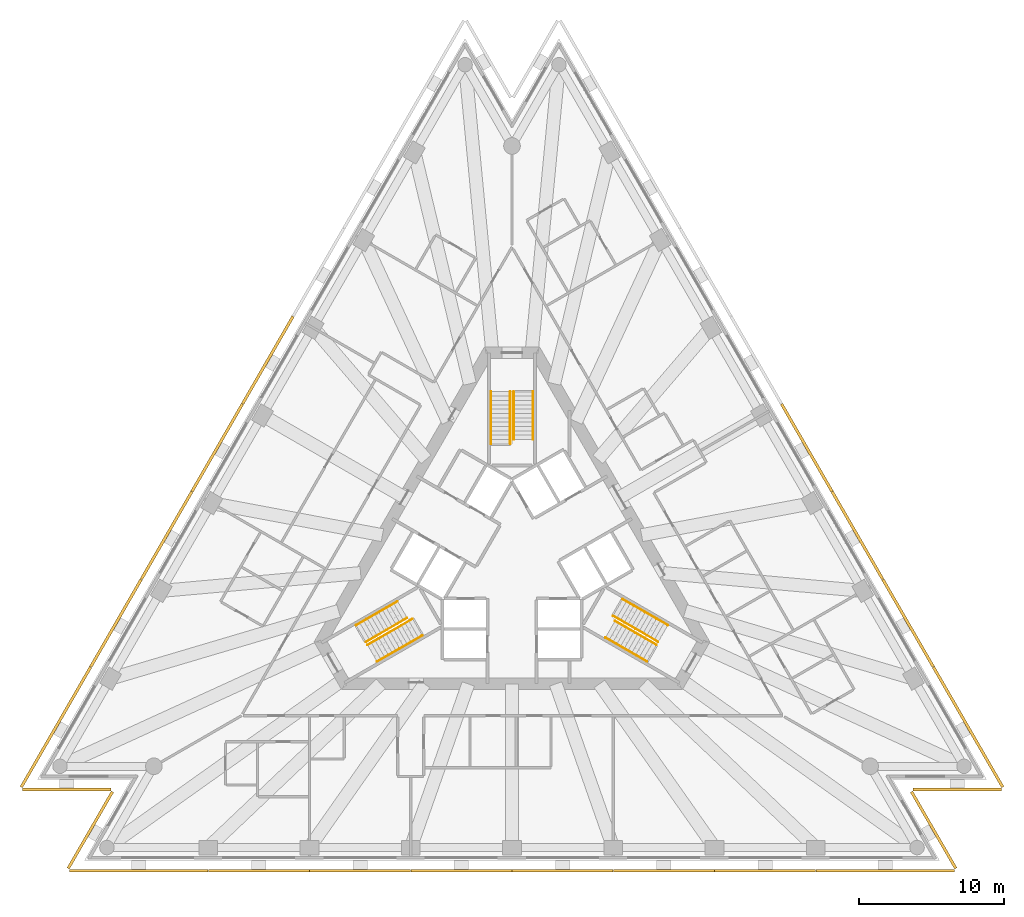
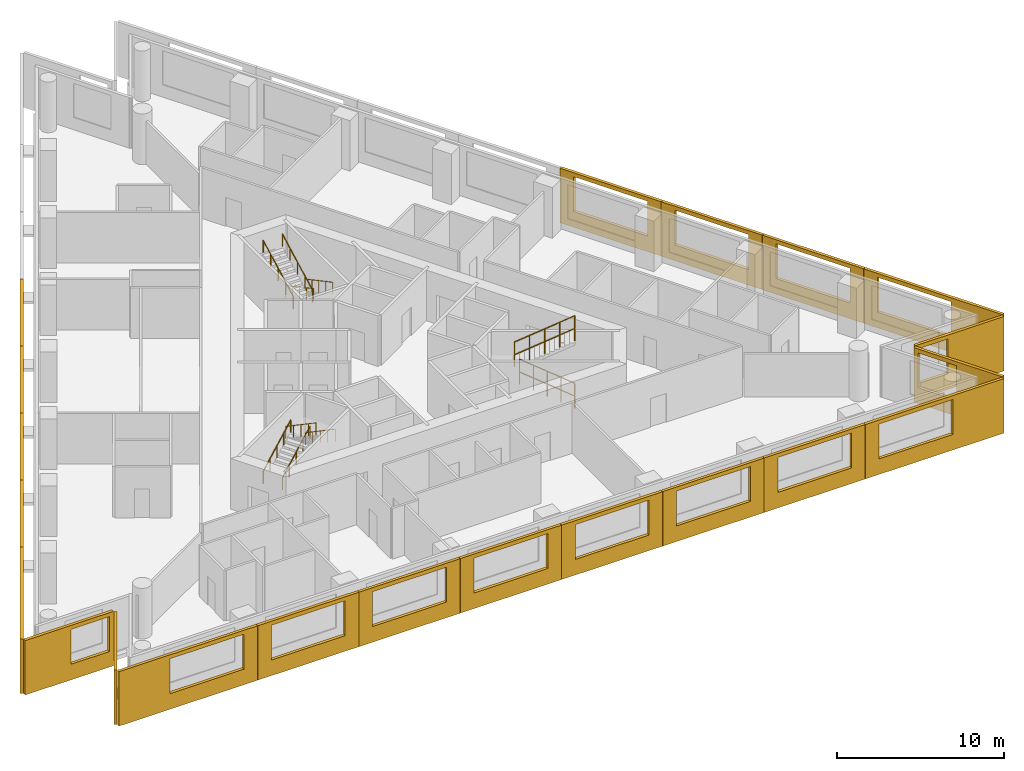
# One storey, part 9 of 10: 21 shading devices, 12 railings, 3 elements without a shape of their own.
"""IFC4 building model written with IfcOpenShell, lengths in metres."""

from ifc_helpers import new_model, si_unit, direction, frame, origin, origin_2d, place, context, subcontext, project, spatial, polyline, circle, outline, extrude, material, layer, layer_set, type_object, element, aggregate, save


model = new_model("IFC4")

# Units and contexts
model_context = context("Model", 3, precision=1e-05, world=origin(), true_north=direction((0.0, 1.0)))
body_context = subcontext(model_context, "Body", "Model", "MODEL_VIEW")
ifc_project = project(units=[si_unit("LENGTHUNIT", "METRE"), si_unit("AREAUNIT", "SQUARE_METRE"), si_unit("VOLUMEUNIT", "CUBIC_METRE"), si_unit("PLANEANGLEUNIT", "RADIAN"), si_unit("MASSUNIT", "GRAM", prefix="KILO")], contexts=[model_context])

# Site, building, storey
site_placement = place(None, origin())
site = spatial("IfcSite", under=ifc_project, at=site_placement, CompositionType="ELEMENT")
building_placement = place(site_placement, origin())
building = spatial("IfcBuilding", under=site, at=building_placement, Name="Triada Interchange Tower", CompositionType="ELEMENT")
storey_placement = place(building_placement, frame((0.0, 0.0, 108.300048828125)))
storey = spatial("IfcBuildingStorey", under=building, at=storey_placement, Name="L24", CompositionType="ELEMENT", Elevation=108.300048828125)

# Shading devices
ifc_material_1 = material(Name="Concrete C50/60 precast", Category="concrete")
ifc_layer_1 = layer(ifc_material_1, 0.02001953125, Name="Exposed aggregate face")
ifc_layer_2 = layer(ifc_material_1, 0.179931640625, Name="Precast concrete screen")
ifc_layer_set = layer_set([ifc_layer_1, ifc_layer_2], Name="Outer skin screen panel 3980")
shading_device_type = type_object("IfcShadingDeviceType", Name="Outer skin screen panel 3980", PredefinedType="SHUTTER", material=ifc_layer_set)
shading_device_1_placement = place(storey_placement, frame((-15.052001953125, 16.763916015625, -0.2900390625), z_axis=(0.0, 0.0, 1.0), x_axis=(-0.49997871953, -0.866037689721, 0.0)))
element("IfcShadingDevice", 1, at=shading_device_1_placement, inside=storey, type_object=shading_device_type, Name="Outer skin screen panel L24 04", PredefinedType="SHUTTER", context=body_context, shape_type="SweptSolid", body=[
    extrude(outline(polyline([(0.0, 0.0), (6.982177734375, 0.0), (6.982177734375, 3.97998046875), (0.0, 3.97998046875), (0.0, 0.0)]), holes=[polyline([(0.9404296875, 1.139892578125), (0.9404296875, 3.68994140625), (6.040283203125, 3.68994140625), (6.040283203125, 1.139892578125), (0.9404296875, 1.139892578125)])]), frame((0.0, 0.0, 0.0), z_axis=(0.0, -1.0, 0.0), x_axis=(1.0, 0.0, 0.0)), (0.0, 0.0, 1.0), 0.199951171875),
])
shading_device_2_placement = place(storey_placement, frame((-18.552978515625, 10.699951171875, -0.2900390625), z_axis=(0.0, 0.0, 1.0), x_axis=(-0.499934370605, -0.866063291618, 0.0)))
element("IfcShadingDevice", 2, at=shading_device_2_placement, inside=storey, type_object=shading_device_type, Name="Outer skin screen panel L24 05", PredefinedType="SHUTTER", context=body_context, shape_type="SweptSolid", body=[
    extrude(outline(polyline([(0.0, 0.0), (6.98095703125, 0.0), (6.98095703125, 3.97998046875), (0.0, 3.97998046875), (0.0, 0.0)]), holes=[polyline([(0.94091796875, 1.139892578125), (0.94091796875, 3.68994140625), (6.040771484375, 3.68994140625), (6.040771484375, 1.139892578125), (0.94091796875, 1.139892578125)])]), frame((0.0, 0.0, 0.0), z_axis=(0.0, -1.0, 0.0), x_axis=(1.0, 0.0, 0.0)), (0.0, 0.0, 1.0), 0.199951171875),
])
shading_device_3_placement = place(storey_placement, frame((-22.052978515625, 4.635986328125, -0.2900390625), z_axis=(0.0, 0.0, 1.0), x_axis=(-0.5000392868, -0.866002720352, 0.0)))
element("IfcShadingDevice", 3, at=shading_device_3_placement, inside=storey, type_object=shading_device_type, Name="Outer skin screen panel L24 06", PredefinedType="SHUTTER", context=body_context, shape_type="SweptSolid", body=[
    extrude(outline(polyline([(0.0, 0.0), (6.9814453125, 0.0), (6.9814453125, 3.97998046875), (0.0, 3.97998046875), (0.0, 0.0)]), holes=[polyline([(0.941162109375, 1.139892578125), (0.941162109375, 3.68994140625), (6.041015625, 3.68994140625), (6.041015625, 1.139892578125), (0.941162109375, 1.139892578125)])]), frame((0.0, 0.0, 0.0), z_axis=(0.0, -1.0, 0.0), x_axis=(1.0, 0.0, 0.0)), (0.0, 0.0, 1.0), 0.199951171875),
])
shading_device_4_placement = place(storey_placement, frame((-25.553955078125, -1.427001953125, -0.2900390625), z_axis=(0.0, 0.0, 1.0), x_axis=(-0.499963579623, -0.866046430078, 0.0)))
element("IfcShadingDevice", 4, at=shading_device_4_placement, inside=storey, type_object=shading_device_type, Name="Outer skin screen panel L24 07", PredefinedType="SHUTTER", context=body_context, shape_type="SweptSolid", body=[
    extrude(outline(polyline([(0.0, 0.0), (6.982421875, 0.0), (6.982421875, 3.97998046875), (0.0, 3.97998046875), (0.0, 0.0)]), holes=[polyline([(0.9404296875, 1.139892578125), (0.9404296875, 3.68994140625), (6.040283203125, 3.68994140625), (6.040283203125, 1.139892578125), (0.9404296875, 1.139892578125)])]), frame((0.0, 0.0, 0.0), z_axis=(0.0, -1.0, 0.0), x_axis=(1.0, 0.0, 0.0)), (0.0, 0.0, 1.0), 0.199951171875),
])
shading_device_5_placement = place(storey_placement, frame((-29.054931640625, -7.490966796875, -0.2900390625), z_axis=(0.0, 0.0, 1.0), x_axis=(-0.500020270231, -0.866013700445, 0.0)))
element("IfcShadingDevice", 5, at=shading_device_5_placement, inside=storey, type_object=shading_device_type, Name="Outer skin screen panel L24 08", PredefinedType="SHUTTER", context=body_context, shape_type="SweptSolid", body=[
    extrude(outline(polyline([(0.0, 0.0), (9.57958984375, 0.0), (9.57958984375, 3.97998046875), (0.0, 3.97998046875), (0.0, 0.0)]), holes=[polyline([(0.940673828125, 1.139892578125), (0.940673828125, 3.68994140625), (6.040771484375, 3.68994140625), (6.040771484375, 1.139892578125), (0.940673828125, 1.139892578125)])]), frame((0.0, 0.0, 0.0), z_axis=(0.0, -1.0, 0.0), x_axis=(1.0, 0.0, 0.0)), (0.0, 0.0, 1.0), 0.199951171875),
])
shading_device_6_placement = place(storey_placement, frame((-33.840087890625, -15.7958984375, -0.2900390625), z_axis=(0.0, 0.0, 1.0), x_axis=(1.0, 0.0, 0.0)))
element("IfcShadingDevice", 6, at=shading_device_6_placement, inside=storey, type_object=shading_device_type, Name="Outer skin screen panel L24 09", PredefinedType="SHUTTER", context=body_context, shape_type="SweptSolid", body=[
    extrude(outline(polyline([(0.0, 0.0), (6.123046875, 0.0), (6.123046875, 3.97998046875), (0.0, 3.97998046875), (0.0, 0.0)]), holes=[polyline([(3.175048828125, 1.139892578125), (3.175048828125, 3.68994140625), (5.822998046875, 3.68994140625), (5.822998046875, 1.139892578125), (3.175048828125, 1.139892578125)])]), frame((0.0, 0.0, 0.0), z_axis=(0.0, -1.0, 0.0), x_axis=(1.0, 0.0, 0.0)), (0.0, 0.0, 1.0), 0.199951171875),
])
shading_device_7_placement = place(storey_placement, frame((-27.5380859375, -16.10498046875, -0.2900390625), z_axis=(0.0, 0.0, 1.0), x_axis=(-0.500041108788, -0.866001668314, 0.0)))
element("IfcShadingDevice", 7, at=shading_device_7_placement, inside=storey, type_object=shading_device_type, Name="Outer skin screen panel L24 10", PredefinedType="SHUTTER", context=body_context, shape_type="SweptSolid", body=[
    extrude(outline(polyline([(0.0, 0.0), (6.12353515625, 0.0), (6.12353515625, 3.97998046875), (0.0, 3.97998046875), (0.0, 0.0)]), holes=[polyline([(0.300048828125, 1.139892578125), (0.300048828125, 3.68994140625), (2.258056640625, 3.68994140625), (2.258056640625, 1.139892578125), (0.300048828125, 1.139892578125)])]), frame((0.0, 0.0, 0.0), z_axis=(0.0, -1.0, 0.0), x_axis=(1.0, 0.0, 0.0)), (0.0, 0.0, 1.0), 0.199951171875),
])
shading_device_8_placement = place(storey_placement, frame((-30.594970703125, -21.4169921875, -0.2900390625), z_axis=(0.0, 0.0, 1.0), x_axis=(1.0, 0.0, 0.0)))
element("IfcShadingDevice", 8, at=shading_device_8_placement, inside=storey, type_object=shading_device_type, Name="Outer skin screen panel L24 11", PredefinedType="SHUTTER", context=body_context, shape_type="SweptSolid", body=[
    extrude(outline(polyline([(0.0, 0.0), (9.580078125, 0.0), (9.580078125, 3.97998046875), (0.0, 3.97998046875), (0.0, 0.0)]), holes=[polyline([(3.5390625, 1.139892578125), (3.5390625, 3.68994140625), (8.638916015625, 3.68994140625), (8.638916015625, 1.139892578125), (3.5390625, 1.139892578125)])]), frame((0.0, 0.0, 0.0), z_axis=(0.0, -1.0, 0.0), x_axis=(1.0, 0.0, 0.0)), (0.0, 0.0, 1.0), 0.199951171875),
])
shading_device_9_placement = place(storey_placement, frame((-20.9951171875, -21.4169921875, -0.2900390625), z_axis=(0.0, 0.0, 1.0), x_axis=(1.0, 0.0, 0.0)))
element("IfcShadingDevice", 9, at=shading_device_9_placement, inside=storey, type_object=shading_device_type, Name="Outer skin screen panel L24 12", PredefinedType="SHUTTER", context=body_context, shape_type="SweptSolid", body=[
    extrude(outline(polyline([(0.0, 0.0), (6.981201171875, 0.0), (6.981201171875, 3.97998046875), (0.0, 3.97998046875), (0.0, 0.0)]), holes=[polyline([(0.94140625, 1.139892578125), (0.94140625, 3.68994140625), (6.041259765625, 3.68994140625), (6.041259765625, 1.139892578125), (0.94140625, 1.139892578125)])]), frame((0.0, 0.0, 0.0), z_axis=(0.0, -1.0, 0.0), x_axis=(1.0, 0.0, 0.0)), (0.0, 0.0, 1.0), 0.199951171875),
])
shading_device_10_placement = place(storey_placement, frame((-13.993896484375, -21.4169921875, -0.2900390625), z_axis=(0.0, 0.0, 1.0), x_axis=(1.0, 0.0, 0.0)))
element("IfcShadingDevice", 10, at=shading_device_10_placement, inside=storey, type_object=shading_device_type, Name="Outer skin screen panel L24 13", PredefinedType="SHUTTER", context=body_context, shape_type="SweptSolid", body=[
    extrude(outline(polyline([(0.0, 0.0), (6.98193359375, 0.0), (6.98193359375, 3.97998046875), (0.0, 3.97998046875), (0.0, 0.0)]), holes=[polyline([(0.9404296875, 1.139892578125), (0.9404296875, 3.68994140625), (6.04052734375, 3.68994140625), (6.04052734375, 1.139892578125), (0.9404296875, 1.139892578125)])]), frame((0.0, 0.0, 0.0), z_axis=(0.0, -1.0, 0.0), x_axis=(1.0, 0.0, 0.0)), (0.0, 0.0, 1.0), 0.199951171875),
])
shading_device_11_placement = place(storey_placement, frame((-6.991943359375, -21.4169921875, -0.2900390625), z_axis=(0.0, 0.0, 1.0), x_axis=(1.0, 0.0, 0.0)))
element("IfcShadingDevice", 11, at=shading_device_11_placement, inside=storey, type_object=shading_device_type, Name="Outer skin screen panel L24 14", PredefinedType="SHUTTER", context=body_context, shape_type="SweptSolid", body=[
    extrude(outline(polyline([(0.0, 0.0), (6.98193359375, 0.0), (6.98193359375, 3.97998046875), (0.0, 3.97998046875), (0.0, 0.0)]), holes=[polyline([(0.94091796875, 1.139892578125), (0.94091796875, 3.68994140625), (6.040771484375, 3.68994140625), (6.040771484375, 1.139892578125), (0.94091796875, 1.139892578125)])]), frame((0.0, 0.0, 0.0), z_axis=(0.0, -1.0, 0.0), x_axis=(1.0, 0.0, 0.0)), (0.0, 0.0, 1.0), 0.199951171875),
])
shading_device_12_placement = place(storey_placement, frame((0.010009765625, -21.4169921875, -0.2900390625), z_axis=(0.0, 0.0, 1.0), x_axis=(1.0, 0.0, 0.0)))
element("IfcShadingDevice", 12, at=shading_device_12_placement, inside=storey, type_object=shading_device_type, Name="Outer skin screen panel L24 15", PredefinedType="SHUTTER", context=body_context, shape_type="SweptSolid", body=[
    extrude(outline(polyline([(0.0, 0.0), (6.98193359375, 0.0), (6.98193359375, 3.97998046875), (0.0, 3.97998046875), (0.0, 0.0)]), holes=[polyline([(0.94091796875, 1.139892578125), (0.94091796875, 3.68994140625), (6.041015625, 3.68994140625), (6.041015625, 1.139892578125), (0.94091796875, 1.139892578125)])]), frame((0.0, 0.0, 0.0), z_axis=(0.0, -1.0, 0.0), x_axis=(1.0, 0.0, 0.0)), (0.0, 0.0, 1.0), 0.199951171875),
])
shading_device_13_placement = place(storey_placement, frame((7.011962890625, -21.4169921875, -0.2900390625), z_axis=(0.0, 0.0, 1.0), x_axis=(1.0, 0.0, 0.0)))
element("IfcShadingDevice", 13, at=shading_device_13_placement, inside=storey, type_object=shading_device_type, Name="Outer skin screen panel L24 16", PredefinedType="SHUTTER", context=body_context, shape_type="SweptSolid", body=[
    extrude(outline(polyline([(0.0, 0.0), (6.98193359375, 0.0), (6.98193359375, 3.97998046875), (0.0, 3.97998046875), (0.0, 0.0)]), holes=[polyline([(0.94140625, 1.139892578125), (0.94140625, 3.68994140625), (6.041259765625, 3.68994140625), (6.041259765625, 1.139892578125), (0.94140625, 1.139892578125)])]), frame((0.0, 0.0, 0.0), z_axis=(0.0, -1.0, 0.0), x_axis=(1.0, 0.0, 0.0)), (0.0, 0.0, 1.0), 0.199951171875),
])
shading_device_14_placement = place(storey_placement, frame((14.012939453125, -21.4169921875, -0.2900390625), z_axis=(0.0, 0.0, 1.0), x_axis=(1.0, 0.0, 0.0)))
element("IfcShadingDevice", 14, at=shading_device_14_placement, inside=storey, type_object=shading_device_type, Name="Outer skin screen panel L24 17", PredefinedType="SHUTTER", context=body_context, shape_type="SweptSolid", body=[
    extrude(outline(polyline([(0.0, 0.0), (6.982177734375, 0.0), (6.982177734375, 3.97998046875), (0.0, 3.97998046875), (0.0, 0.0)]), holes=[polyline([(0.9404296875, 1.139892578125), (0.9404296875, 3.68994140625), (6.04052734375, 3.68994140625), (6.04052734375, 1.139892578125), (0.9404296875, 1.139892578125)])]), frame((0.0, 0.0, 0.0), z_axis=(0.0, -1.0, 0.0), x_axis=(1.0, 0.0, 0.0)), (0.0, 0.0, 1.0), 0.199951171875),
])
shading_device_15_placement = place(storey_placement, frame((21.014892578125, -21.4169921875, -0.2900390625), z_axis=(0.0, 0.0, 1.0), x_axis=(1.0, 0.0, 0.0)))
element("IfcShadingDevice", 15, at=shading_device_15_placement, inside=storey, type_object=shading_device_type, Name="Outer skin screen panel L24 18", PredefinedType="SHUTTER", context=body_context, shape_type="SweptSolid", body=[
    extrude(outline(polyline([(0.0, 0.0), (9.580078125, 0.0), (9.580078125, 3.97998046875), (0.0, 3.97998046875), (0.0, 0.0)]), holes=[polyline([(0.94091796875, 1.139892578125), (0.94091796875, 3.68994140625), (6.040771484375, 3.68994140625), (6.040771484375, 1.139892578125), (0.94091796875, 1.139892578125)])]), frame((0.0, 0.0, 0.0), z_axis=(0.0, -1.0, 0.0), x_axis=(1.0, 0.0, 0.0)), (0.0, 0.0, 1.0), 0.199951171875),
])
shading_device_16_placement = place(storey_placement, frame((30.60009765625, -21.407958984375, -0.2900390625), z_axis=(0.0, 0.0, 1.0), x_axis=(-0.500041108788, 0.866001668314, 0.0)))
element("IfcShadingDevice", 16, at=shading_device_16_placement, inside=storey, type_object=shading_device_type, Name="Outer skin screen panel L24 19", PredefinedType="SHUTTER", context=body_context, shape_type="SweptSolid", body=[
    extrude(outline(polyline([(0.0, 0.0), (6.12353515625, 0.0), (6.12353515625, 3.97998046875), (0.0, 3.97998046875), (0.0, 0.0)]), holes=[polyline([(3.17529296875, 1.139892578125), (3.17529296875, 3.68994140625), (5.82373046875, 3.68994140625), (5.82373046875, 1.139892578125), (3.17529296875, 1.139892578125)])]), frame((0.0, 0.0, 0.0), z_axis=(0.0, -1.0, 0.0), x_axis=(1.0, 0.0, 0.0)), (0.0, 0.0, 1.0), 0.199951171875),
])
shading_device_17_placement = place(storey_placement, frame((27.717041015625, -15.7958984375, -0.2900390625), z_axis=(0.0, 0.0, 1.0), x_axis=(1.0, 0.0, 0.0)))
element("IfcShadingDevice", 17, at=shading_device_17_placement, inside=storey, type_object=shading_device_type, Name="Outer skin screen panel L24 20", PredefinedType="SHUTTER", context=body_context, shape_type="SweptSolid", body=[
    extrude(outline(polyline([(0.0, 0.0), (6.123046875, 0.0), (6.123046875, 3.97998046875), (0.0, 3.97998046875), (0.0, 0.0)]), holes=[polyline([(0.300048828125, 1.139892578125), (0.300048828125, 3.68994140625), (2.258056640625, 3.68994140625), (2.258056640625, 1.139892578125), (0.300048828125, 1.139892578125)])]), frame((0.0, 0.0, 0.0), z_axis=(0.0, -1.0, 0.0), x_axis=(1.0, 0.0, 0.0)), (0.0, 0.0, 1.0), 0.199951171875),
])
shading_device_18_placement = place(storey_placement, frame((33.844970703125, -15.787109375, -0.2900390625), z_axis=(0.0, 0.0, 1.0), x_axis=(-0.500020270231, 0.866013700445, 0.0)))
element("IfcShadingDevice", 18, at=shading_device_18_placement, inside=storey, type_object=shading_device_type, Name="Outer skin screen panel L24 21", PredefinedType="SHUTTER", context=body_context, shape_type="SweptSolid", body=[
    extrude(outline(polyline([(0.0, 0.0), (9.57958984375, 0.0), (9.57958984375, 3.97998046875), (0.0, 3.97998046875), (0.0, 0.0)]), holes=[polyline([(3.539306640625, 1.139892578125), (3.539306640625, 3.68994140625), (8.639404296875, 3.68994140625), (8.639404296875, 1.139892578125), (3.539306640625, 1.139892578125)])]), frame((0.0, 0.0, 0.0), z_axis=(0.0, -1.0, 0.0), x_axis=(1.0, 0.0, 0.0)), (0.0, 0.0, 1.0), 0.199951171875),
])
shading_device_19_placement = place(storey_placement, frame((29.044921875, -7.47412109375, -0.2900390625), z_axis=(0.0, 0.0, 1.0), x_axis=(-0.499963579623, 0.866046430078, 0.0)))
element("IfcShadingDevice", 19, at=shading_device_19_placement, inside=storey, type_object=shading_device_type, Name="Outer skin screen panel L24 22", PredefinedType="SHUTTER", context=body_context, shape_type="SweptSolid", body=[
    extrude(outline(polyline([(0.0, 0.0), (6.982421875, 0.0), (6.982421875, 3.97998046875), (0.0, 3.97998046875), (0.0, 0.0)]), holes=[polyline([(0.9404296875, 1.139892578125), (0.9404296875, 3.68994140625), (6.04052734375, 3.68994140625), (6.04052734375, 1.139892578125), (0.9404296875, 1.139892578125)])]), frame((0.0, 0.0, 0.0), z_axis=(0.0, -1.0, 0.0), x_axis=(1.0, 0.0, 0.0)), (0.0, 0.0, 1.0), 0.199951171875),
])
shading_device_20_placement = place(storey_placement, frame((25.5439453125, -1.409912109375, -0.2900390625), z_axis=(0.0, 0.0, 1.0), x_axis=(-0.5000392868, 0.866002720352, 0.0)))
element("IfcShadingDevice", 20, at=shading_device_20_placement, inside=storey, type_object=shading_device_type, Name="Outer skin screen panel L24 23", PredefinedType="SHUTTER", context=body_context, shape_type="SweptSolid", body=[
    extrude(outline(polyline([(0.0, 0.0), (6.9814453125, 0.0), (6.9814453125, 3.97998046875), (0.0, 3.97998046875), (0.0, 0.0)]), holes=[polyline([(0.94091796875, 1.139892578125), (0.94091796875, 3.68994140625), (6.040771484375, 3.68994140625), (6.040771484375, 1.139892578125), (0.94091796875, 1.139892578125)])]), frame((0.0, 0.0, 0.0), z_axis=(0.0, -1.0, 0.0), x_axis=(1.0, 0.0, 0.0)), (0.0, 0.0, 1.0), 0.199951171875),
])
shading_device_21_placement = place(storey_placement, frame((22.04296875, 4.654052734375, -0.2900390625), z_axis=(0.0, 0.0, 1.0), x_axis=(-0.499934370605, 0.866063291618, 0.0)))
element("IfcShadingDevice", 21, at=shading_device_21_placement, inside=storey, type_object=shading_device_type, Name="Outer skin screen panel L24 24", PredefinedType="SHUTTER", context=body_context, shape_type="SweptSolid", body=[
    extrude(outline(polyline([(0.0, 0.0), (6.98095703125, 0.0), (6.98095703125, 3.97998046875), (0.0, 3.97998046875), (0.0, 0.0)]), holes=[polyline([(0.941162109375, 1.139892578125), (0.941162109375, 3.68994140625), (6.041259765625, 3.68994140625), (6.041259765625, 1.139892578125), (0.941162109375, 1.139892578125)])]), frame((0.0, 0.0, 0.0), z_axis=(0.0, -1.0, 0.0), x_axis=(1.0, 0.0, 0.0)), (0.0, 0.0, 1.0), 0.199951171875),
])

# Stair, railings
ifc_material_2 = material(Name="Concrete C35/45", Category="concrete")
stair_type = type_object("IfcStairType", Name="HALF TURN STAIR 1400", PredefinedType="HALF_TURN_STAIR", material=ifc_material_2)
stair_1_placement = place(storey_placement, origin())
stair_1 = element("IfcStair", 22, at=stair_1_placement, inside=storey, type_object=stair_type, Name="Exit stair S23-1", PredefinedType="HALF_TURN_STAIR")
ifc_material_3 = material(Name="Stainless steel 1.4301", Category="steel")
railing_type = type_object("IfcRailingType", Name="STAIR HANDRAIL 900", PredefinedType="HANDRAIL", material=ifc_material_3)
railing_1_placement = place(storey_placement, frame((1.449951171875, 11.60009765625, 0.159912109375)))
railing_1 = element("IfcRailing", 23, at=railing_1_placement, type_object=railing_type, Name="Handrail S23-1 1W", PredefinedType="HANDRAIL", context=body_context, shape_type="SweptSolid", body=[
    extrude(circle(Radius=0.02392578125, at=origin_2d()), frame((0.0, 0.0, 0.8759765625), z_axis=(0.0, -0.882354748157, 0.47058484719), x_axis=(1.0, 0.0, 0.0)), (0.0, 0.0, 1.0), 3.739990234375),
    extrude(circle(Radius=0.02099609375, at=origin_2d()), origin(), (0.0, 0.0, 1.0), 0.851806640625),
    extrude(circle(Radius=0.02099609375, at=origin_2d()), frame((0.0, -0.824951171875, 0.43994140625)), (0.0, 0.0, 1.0), 0.851806640625),
    extrude(circle(Radius=0.02099609375, at=origin_2d()), frame((0.0, -1.64990234375, 0.8798828125)), (0.0, 0.0, 1.0), 0.851806640625),
    extrude(circle(Radius=0.02099609375, at=origin_2d()), frame((0.0, -2.47509765625, 1.320068359375)), (0.0, 0.0, 1.0), 0.851806640625),
    extrude(circle(Radius=0.02099609375, at=origin_2d()), frame((0.0, -3.300048828125, 1.760009765625)), (0.0, 0.0, 1.0), 0.851806640625),
])
railing_2_placement = place(storey_placement, frame((0.1201171875, 11.60009765625, 0.159912109375)))
railing_2 = element("IfcRailing", 24, at=railing_2_placement, type_object=railing_type, Name="Handrail S23-1 1C", PredefinedType="HANDRAIL", context=body_context, shape_type="SweptSolid", body=[
    extrude(circle(Radius=0.02392578125, at=origin_2d()), frame((0.0, 0.0, 0.8759765625), z_axis=(0.0, -0.882354748157, 0.47058484719), x_axis=(1.0, 0.0, 0.0)), (0.0, 0.0, 1.0), 3.739990234375),
    extrude(circle(Radius=0.02099609375, at=origin_2d()), origin(), (0.0, 0.0, 1.0), 0.851806640625),
    extrude(circle(Radius=0.02099609375, at=origin_2d()), frame((0.0, -0.824951171875, 0.43994140625)), (0.0, 0.0, 1.0), 0.851806640625),
    extrude(circle(Radius=0.02099609375, at=origin_2d()), frame((0.0, -1.64990234375, 0.8798828125)), (0.0, 0.0, 1.0), 0.851806640625),
    extrude(circle(Radius=0.02099609375, at=origin_2d()), frame((0.0, -2.47509765625, 1.320068359375)), (0.0, 0.0, 1.0), 0.851806640625),
    extrude(circle(Radius=0.02099609375, at=origin_2d()), frame((0.0, -3.300048828125, 1.760009765625)), (0.0, 0.0, 1.0), 0.851806640625),
])
railing_3_placement = place(storey_placement, frame((-1.449951171875, 8.0, 2.079833984375)))
railing_3 = element("IfcRailing", 25, at=railing_3_placement, type_object=railing_type, Name="Handrail S23-1 2W", PredefinedType="HANDRAIL", context=body_context, shape_type="SweptSolid", body=[
    extrude(circle(Radius=0.02392578125, at=origin_2d()), frame((0.0, 0.0, 0.8759765625), z_axis=(0.0, 0.882341346394, 0.470609974867), x_axis=(-1.0, 0.0, 0.0)), (0.0, 0.0, 1.0), 4.080078125),
    extrude(circle(Radius=0.02099609375, at=origin_2d()), origin(), (0.0, 0.0, 1.0), 0.851806640625),
    extrude(circle(Radius=0.02099609375, at=origin_2d()), frame((0.0, 0.89990234375, 0.47998046875)), (0.0, 0.0, 1.0), 0.851806640625),
    extrude(circle(Radius=0.02099609375, at=origin_2d()), frame((0.0, 1.800048828125, 0.9599609375)), (0.0, 0.0, 1.0), 0.851806640625),
    extrude(circle(Radius=0.02099609375, at=origin_2d()), frame((0.0, 2.7001953125, 1.440185546875)), (0.0, 0.0, 1.0), 0.851806640625),
    extrude(circle(Radius=0.02099609375, at=origin_2d()), frame((0.0, 3.60009765625, 1.920166015625)), (0.0, 0.0, 1.0), 0.851806640625),
])
railing_4_placement = place(storey_placement, frame((-0.1201171875, 8.0, 2.079833984375)))
railing_4 = element("IfcRailing", 26, at=railing_4_placement, type_object=railing_type, Name="Handrail S23-1 2C", PredefinedType="HANDRAIL", context=body_context, shape_type="SweptSolid", body=[
    extrude(circle(Radius=0.02392578125, at=origin_2d()), frame((0.0, 0.0, 0.8759765625), z_axis=(0.0, 0.882341346394, 0.470609974867), x_axis=(-1.0, 0.0, 0.0)), (0.0, 0.0, 1.0), 4.080078125),
    extrude(circle(Radius=0.02099609375, at=origin_2d()), origin(), (0.0, 0.0, 1.0), 0.851806640625),
    extrude(circle(Radius=0.02099609375, at=origin_2d()), frame((0.0, 0.89990234375, 0.47998046875)), (0.0, 0.0, 1.0), 0.851806640625),
    extrude(circle(Radius=0.02099609375, at=origin_2d()), frame((0.0, 1.800048828125, 0.9599609375)), (0.0, 0.0, 1.0), 0.851806640625),
    extrude(circle(Radius=0.02099609375, at=origin_2d()), frame((0.0, 2.7001953125, 1.440185546875)), (0.0, 0.0, 1.0), 0.851806640625),
    extrude(circle(Radius=0.02099609375, at=origin_2d()), frame((0.0, 3.60009765625, 1.920166015625)), (0.0, 0.0, 1.0), 0.851806640625),
])
aggregate(stair_1, [railing_1, railing_2, railing_3, railing_4])

stair_2_placement = place(storey_placement, origin())
stair_2 = element("IfcStair", 27, at=stair_2_placement, inside=storey, type_object=stair_type, Name="Exit stair S23-2", PredefinedType="HALF_TURN_STAIR")
railing_5_placement = place(storey_placement, frame((-10.77099609375, -4.5439453125, 0.159912109375)))
railing_5 = element("IfcRailing", 28, at=railing_5_placement, type_object=railing_type, Name="Handrail S23-2 1W", PredefinedType="HANDRAIL", context=body_context, shape_type="SweptSolid", body=[
    extrude(circle(Radius=0.02392578125, at=origin_2d()), frame((0.0, 0.0, 0.8759765625), z_axis=(0.764150854273, 0.441152526326, 0.470593158077), x_axis=(-0.499974350878, 0.866040211805, 0.0)), (0.0, 0.0, 1.0), 3.739990234375),
    extrude(circle(Radius=0.02099609375, at=origin_2d()), origin(), (0.0, 0.0, 1.0), 0.851806640625),
    extrude(circle(Radius=0.02099609375, at=origin_2d()), frame((0.71435546875, 0.41259765625, 0.43994140625)), (0.0, 0.0, 1.0), 0.851806640625),
    extrude(circle(Radius=0.02099609375, at=origin_2d()), frame((1.428955078125, 0.824951171875, 0.8798828125)), (0.0, 0.0, 1.0), 0.851806640625),
    extrude(circle(Radius=0.02099609375, at=origin_2d()), frame((2.1435546875, 1.2373046875, 1.320068359375)), (0.0, 0.0, 1.0), 0.851806640625),
    extrude(circle(Radius=0.02099609375, at=origin_2d()), frame((2.85791015625, 1.64990234375, 1.760009765625)), (0.0, 0.0, 1.0), 0.851806640625),
])
railing_6_placement = place(storey_placement, frame((-10.10595703125, -5.696044921875, 0.159912109375)))
railing_6 = element("IfcRailing", 29, at=railing_6_placement, type_object=railing_type, Name="Handrail S23-2 1C", PredefinedType="HANDRAIL", context=body_context, shape_type="SweptSolid", body=[
    extrude(circle(Radius=0.02392578125, at=origin_2d()), frame((0.0, 0.0, 0.8759765625), z_axis=(0.76412884773, 0.441205098395, 0.470579605611), x_axis=(-0.50002983664, 0.866008176907, 0.0)), (0.0, 0.0, 1.0), 3.739990234375),
    extrude(circle(Radius=0.02099609375, at=origin_2d()), origin(), (0.0, 0.0, 1.0), 0.851806640625),
    extrude(circle(Radius=0.02099609375, at=origin_2d()), frame((0.71435546875, 0.41259765625, 0.43994140625)), (0.0, 0.0, 1.0), 0.851806640625),
    extrude(circle(Radius=0.02099609375, at=origin_2d()), frame((1.428955078125, 0.8251953125, 0.8798828125)), (0.0, 0.0, 1.0), 0.851806640625),
    extrude(circle(Radius=0.02099609375, at=origin_2d()), frame((2.1435546875, 1.237548828125, 1.320068359375)), (0.0, 0.0, 1.0), 0.851806640625),
    extrude(circle(Radius=0.02099609375, at=origin_2d()), frame((2.85791015625, 1.650146484375, 1.760009765625)), (0.0, 0.0, 1.0), 0.851806640625),
])
railing_7_placement = place(storey_placement, frame((-6.202880859375, -5.256103515625, 2.079833984375)))
railing_7 = element("IfcRailing", 30, at=railing_7_placement, type_object=railing_type, Name="Handrail S23-2 2W", PredefinedType="HANDRAIL", context=body_context, shape_type="SweptSolid", body=[
    extrude(circle(Radius=0.02392578125, at=origin_2d()), frame((0.0, 0.0, 0.8759765625), z_axis=(-0.764189758314, -0.441090424232, 0.470588196769), x_axis=(0.499902469156, -0.866081705922, 0.0)), (0.0, 0.0, 1.0), 4.080322265625),
    extrude(circle(Radius=0.02099609375, at=origin_2d()), origin(), (0.0, 0.0, 1.0), 0.851806640625),
    extrude(circle(Radius=0.02099609375, at=origin_2d()), frame((-0.779541015625, -0.449951171875, 0.47998046875)), (0.0, 0.0, 1.0), 0.851806640625),
    extrude(circle(Radius=0.02099609375, at=origin_2d()), frame((-1.55908203125, -0.89990234375, 0.9599609375)), (0.0, 0.0, 1.0), 0.851806640625),
    extrude(circle(Radius=0.02099609375, at=origin_2d()), frame((-2.338623046875, -1.349853515625, 1.440185546875)), (0.0, 0.0, 1.0), 0.851806640625),
    extrude(circle(Radius=0.02099609375, at=origin_2d()), frame((-3.1181640625, -1.7998046875, 1.920166015625)), (0.0, 0.0, 1.0), 0.851806640625),
])
railing_8_placement = place(storey_placement, frame((-6.867919921875, -4.10400390625, 2.079833984375)))
railing_8 = element("IfcRailing", 31, at=railing_8_placement, type_object=railing_type, Name="Handrail S23-2 2C", PredefinedType="HANDRAIL", context=body_context, shape_type="SweptSolid", body=[
    extrude(circle(Radius=0.02392578125, at=origin_2d()), frame((0.0, 0.0, 0.8759765625), z_axis=(-0.764169589359, -0.441138614339, 0.470575776723), x_axis=(0.49995333141, -0.866052346231, 0.0)), (0.0, 0.0, 1.0), 4.08056640625),
    extrude(circle(Radius=0.02099609375, at=origin_2d()), origin(), (0.0, 0.0, 1.0), 0.851806640625),
    extrude(circle(Radius=0.02099609375, at=origin_2d()), frame((-0.779541015625, -0.449951171875, 0.47998046875)), (0.0, 0.0, 1.0), 0.851806640625),
    extrude(circle(Radius=0.02099609375, at=origin_2d()), frame((-1.55908203125, -0.89990234375, 0.9599609375)), (0.0, 0.0, 1.0), 0.851806640625),
    extrude(circle(Radius=0.02099609375, at=origin_2d()), frame((-2.338623046875, -1.35009765625, 1.440185546875)), (0.0, 0.0, 1.0), 0.851806640625),
    extrude(circle(Radius=0.02099609375, at=origin_2d()), frame((-3.1181640625, -1.800048828125, 1.920166015625)), (0.0, 0.0, 1.0), 0.851806640625),
])
aggregate(stair_2, [railing_5, railing_6, railing_7, railing_8])

stair_3_placement = place(storey_placement, origin())
stair_3 = element("IfcStair", 32, at=stair_3_placement, inside=storey, type_object=stair_type, Name="Exit stair S23-3", PredefinedType="HALF_TURN_STAIR")
railing_9_placement = place(storey_placement, frame((9.321044921875, -7.055908203125, 0.159912109375)))
railing_9 = element("IfcRailing", 33, at=railing_9_placement, type_object=railing_type, Name="Handrail S23-3 1W", PredefinedType="HANDRAIL", context=body_context, shape_type="SweptSolid", body=[
    extrude(circle(Radius=0.02392578125, at=origin_2d()), frame((0.0, 0.0, 0.8759765625), z_axis=(-0.764178012919, 0.441130521168, 0.470569684388), x_axis=(-0.499942318283, -0.866058703778, 0.0)), (0.0, 0.0, 1.0), 3.740234375),
    extrude(circle(Radius=0.02099609375, at=origin_2d()), origin(), (0.0, 0.0, 1.0), 0.851806640625),
    extrude(circle(Radius=0.02099609375, at=origin_2d()), frame((-0.714599609375, 0.41259765625, 0.43994140625)), (0.0, 0.0, 1.0), 0.851806640625),
    extrude(circle(Radius=0.02099609375, at=origin_2d()), frame((-1.42919921875, 0.824951171875, 0.8798828125)), (0.0, 0.0, 1.0), 0.851806640625),
    extrude(circle(Radius=0.02099609375, at=origin_2d()), frame((-2.1435546875, 1.2373046875, 1.320068359375)), (0.0, 0.0, 1.0), 0.851806640625),
    extrude(circle(Radius=0.02099609375, at=origin_2d()), frame((-2.858154296875, 1.64990234375, 1.760009765625)), (0.0, 0.0, 1.0), 0.851806640625),
])
railing_10_placement = place(storey_placement, frame((9.986083984375, -5.904052734375, 0.159912109375)))
railing_10 = element("IfcRailing", 34, at=railing_10_placement, type_object=railing_type, Name="Handrail S23-3 1C", PredefinedType="HANDRAIL", context=body_context, shape_type="SweptSolid", body=[
    extrude(circle(Radius=0.02392578125, at=origin_2d()), frame((0.0, 0.0, 0.8759765625), z_axis=(-0.764156007789, 0.441183091881, 0.47055613395), x_axis=(-0.49999780286, -0.8660266723, 0.0)), (0.0, 0.0, 1.0), 3.740234375),
    extrude(circle(Radius=0.02099609375, at=origin_2d()), origin(), (0.0, 0.0, 1.0), 0.851806640625),
    extrude(circle(Radius=0.02099609375, at=origin_2d()), frame((-0.714599609375, 0.41259765625, 0.43994140625)), (0.0, 0.0, 1.0), 0.851806640625),
    extrude(circle(Radius=0.02099609375, at=origin_2d()), frame((-1.42919921875, 0.8251953125, 0.8798828125)), (0.0, 0.0, 1.0), 0.851806640625),
    extrude(circle(Radius=0.02099609375, at=origin_2d()), frame((-2.1435546875, 1.237548828125, 1.320068359375)), (0.0, 0.0, 1.0), 0.851806640625),
    extrude(circle(Radius=0.02099609375, at=origin_2d()), frame((-2.858154296875, 1.650146484375, 1.760009765625)), (0.0, 0.0, 1.0), 0.851806640625),
])
railing_11_placement = place(storey_placement, frame((7.653076171875, -2.743896484375, 2.079833984375)))
railing_11 = element("IfcRailing", 35, at=railing_11_placement, type_object=railing_type, Name="Handrail S23-3 2W", PredefinedType="HANDRAIL", context=body_context, shape_type="SweptSolid", body=[
    extrude(circle(Radius=0.02392578125, at=origin_2d()), frame((0.0, 0.0, 0.8759765625), z_axis=(0.76414469501, -0.441158784458, 0.470597292793), x_axis=(0.499982693035, 0.866035395735, 0.0)), (0.0, 0.0, 1.0), 4.080322265625),
    extrude(circle(Radius=0.02099609375, at=origin_2d()), origin(), (0.0, 0.0, 1.0), 0.851806640625),
    extrude(circle(Radius=0.02099609375, at=origin_2d()), frame((0.779541015625, -0.449951171875, 0.47998046875)), (0.0, 0.0, 1.0), 0.851806640625),
    extrude(circle(Radius=0.02099609375, at=origin_2d()), frame((1.55908203125, -0.89990234375, 0.9599609375)), (0.0, 0.0, 1.0), 0.851806640625),
    extrude(circle(Radius=0.02099609375, at=origin_2d()), frame((2.33837890625, -1.35009765625, 1.440185546875)), (0.0, 0.0, 1.0), 0.851806640625),
    extrude(circle(Radius=0.02099609375, at=origin_2d()), frame((3.117919921875, -1.800048828125, 1.920166015625)), (0.0, 0.0, 1.0), 0.851806640625),
])
railing_12_placement = place(storey_placement, frame((6.988037109375, -3.89599609375, 2.079833984375)))
railing_12 = element("IfcRailing", 36, at=railing_12_placement, type_object=railing_type, Name="Handrail S23-3 2C", PredefinedType="HANDRAIL", context=body_context, shape_type="SweptSolid", body=[
    extrude(circle(Radius=0.02392578125, at=origin_2d()), frame((0.0, 0.0, 0.8759765625), z_axis=(0.76414469501, -0.441158784458, 0.470597292793), x_axis=(0.499982693035, 0.866035395735, 0.0)), (0.0, 0.0, 1.0), 4.080322265625),
    extrude(circle(Radius=0.02099609375, at=origin_2d()), origin(), (0.0, 0.0, 1.0), 0.851806640625),
    extrude(circle(Radius=0.02099609375, at=origin_2d()), frame((0.779541015625, -0.449951171875, 0.47998046875)), (0.0, 0.0, 1.0), 0.851806640625),
    extrude(circle(Radius=0.02099609375, at=origin_2d()), frame((1.55908203125, -0.89990234375, 0.9599609375)), (0.0, 0.0, 1.0), 0.851806640625),
    extrude(circle(Radius=0.02099609375, at=origin_2d()), frame((2.33837890625, -1.35009765625, 1.440185546875)), (0.0, 0.0, 1.0), 0.851806640625),
    extrude(circle(Radius=0.02099609375, at=origin_2d()), frame((3.117919921875, -1.800048828125, 1.920166015625)), (0.0, 0.0, 1.0), 0.851806640625),
])
aggregate(stair_3, [railing_9, railing_10, railing_11, railing_12])

save(model, "model.ifc")
